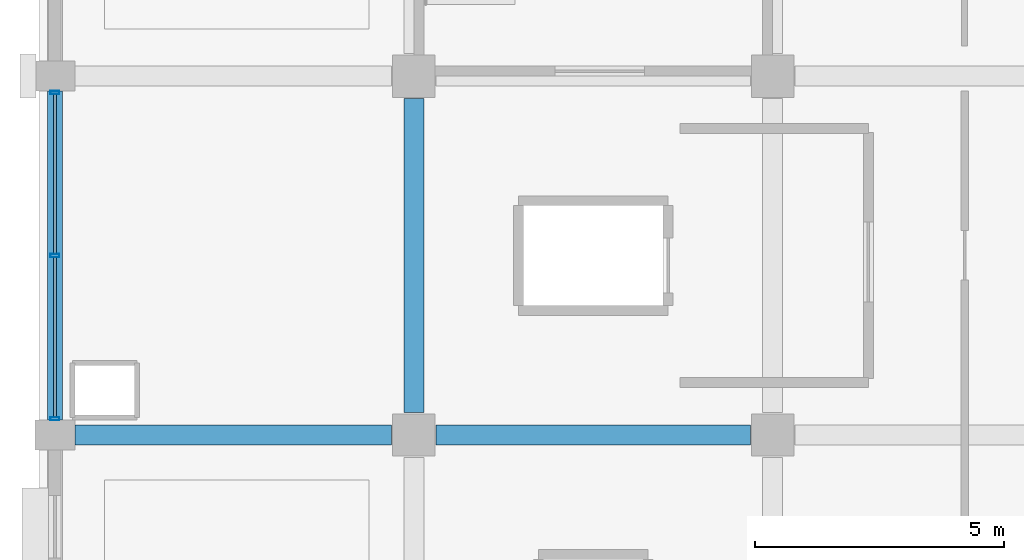
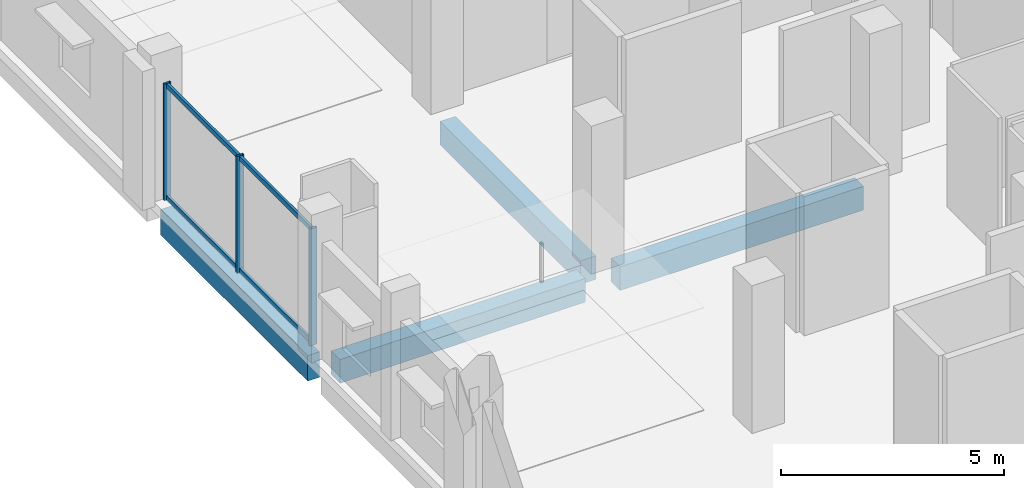
# One storey, part 21 of 107: 7 members, 4 beams, 1 element without a shape of its own.
"""IFC4 building model written with IfcOpenShell, lengths in metres."""

import ifcopenshell
import ifcopenshell.guid

model = None  # the IFC model being written
_history = None  # IfcOwnerHistory: only IFC2X3 demands one
_inside = {}  # id of a spatial element -> (the spatial element, [elements in it])
_under = {}  # id of a project, library or spatial element -> (it, [spatial elements below it])
_declared = {}  # id of a project -> (the project, [libraries it declares])
_typed = {}  # id of a type object -> (the type object, [elements of that type])
_made_of = {}  # id of a material, layer set ... -> (it, [elements and type objects made of it])


def new_model(schema):
    """Start an empty IFC model of exactly this schema.

    Asked for "IFC4X3", IfcOpenShell would pick the latest addendum, in which some entities
    have other attributes; the version numbers below select the first issue.
    IFC2X3 requires an IfcOwnerHistory on every rooted entity: one is made here for all.
    """
    global model, _history
    if schema == "IFC4X3":
        model = ifcopenshell.file(schema_version=(4, 3, 0, 0))
    else:
        model = ifcopenshell.file(schema=schema)
    _inside.clear()
    _under.clear()
    _declared.clear()
    _typed.clear()
    _made_of.clear()
    _history = None
    if model.schema == "IFC2X3":
        org = make("IfcOrganization", Name="unknown")
        user = make(
            "IfcPersonAndOrganization",
            ThePerson=make("IfcPerson", FamilyName="unknown"),
            TheOrganization=org,
        )
        app = make(
            "IfcApplication",
            ApplicationDeveloper=org,
            Version="unknown",
            ApplicationFullName="unknown",
            ApplicationIdentifier="unknown",
        )
        _history = make(
            "IfcOwnerHistory",
            OwningUser=user,
            OwningApplication=app,
            ChangeAction="ADDED",
            CreationDate=0,
        )
    return model


def make(cls, **values):
    """One entity of the class cls with the attributes given. An attribute that is None is left unset."""
    return model.create_entity(
        cls, **{name: value for name, value in values.items() if value is not None}
    )


def rooted(cls, **values):
    """An entity with a GlobalId (a new one), such as an element, a storey or a relation."""
    return make(cls, GlobalId=ifcopenshell.guid.new(), OwnerHistory=_history, **values)


def si_unit(unit_type, name, prefix=None):
    """IfcSIUnit, for example si_unit("LENGTHUNIT", "METRE", prefix="MILLI")."""
    return make("IfcSIUnit", UnitType=unit_type, Prefix=prefix, Name=name)


def assignment(units):
    """IfcUnitAssignment: the units of a project."""
    return None if units is None else make("IfcUnitAssignment", Units=units)


def point(xyz):
    """IfcCartesianPoint."""
    return None if xyz is None else make("IfcCartesianPoint", Coordinates=xyz)


def direction(xyz):
    """IfcDirection."""
    return None if xyz is None else make("IfcDirection", DirectionRatios=xyz)


def frame(location, z_axis=None, x_axis=None):
    """IfcAxis2Placement3D, a coordinate frame: its origin and axes. An axis left out is left unset."""
    return make(
        "IfcAxis2Placement3D",
        Location=point(location),
        Axis=direction(z_axis),
        RefDirection=direction(x_axis),
    )


def frame_2d(location, x_axis=None):
    """IfcAxis2Placement2D, a coordinate frame in the plane: its origin and x axis."""
    return make(
        "IfcAxis2Placement2D", Location=point(location), RefDirection=direction(x_axis)
    )


def origin():
    """The frame at (0, 0, 0) with its axes left unset."""
    return frame((0.0, 0.0, 0.0))


def origin_2d():
    """The frame at (0, 0) in the plane with its x axis left unset."""
    return frame_2d((0.0, 0.0))


def place(relative_to, where):
    """IfcLocalPlacement: puts the frame where relative to a parent placement (None: the world)."""
    return make(
        "IfcLocalPlacement", PlacementRelTo=relative_to, RelativePlacement=where
    )


def context(
    kind, dimensions, precision=None, world=None, true_north=None, identifier=None
):
    """IfcGeometricRepresentationContext, for example the 3D "Model" context."""
    return make(
        "IfcGeometricRepresentationContext",
        ContextIdentifier=identifier,
        ContextType=kind,
        CoordinateSpaceDimension=dimensions,
        Precision=precision,
        WorldCoordinateSystem=world,
        TrueNorth=true_north,
    )


def subcontext(parent, identifier, kind, view, scale=None):
    """IfcGeometricRepresentationSubContext, for example "Body" below "Model"."""
    return make(
        "IfcGeometricRepresentationSubContext",
        ContextIdentifier=identifier,
        ContextType=kind,
        ParentContext=parent,
        TargetScale=scale,
        TargetView=view,
    )


def project(units=None, contexts=None):
    """IfcProject with its units and contexts."""
    return rooted(
        "IfcProject",
        Name="project",
        RepresentationContexts=contexts,
        UnitsInContext=assignment(units),
    )


def spatial(cls, under=None, at=None, **own):
    """A site, building, storey or space (cls), placed at a placement, below another one or the project."""
    s = rooted(cls, ObjectPlacement=at, **own)
    if under is not None:
        _under.setdefault(under.id(), (under, []))[1].append(s)
    return s


def profile(cls, at=None, kind="AREA", **sizes):
    """A parametric profile (cls). Its sizes go by their IFC names, for example OverallWidth=200.0."""
    return make(cls, ProfileType=kind, Position=at, **sizes)


def rectangle(**sizes):
    """IfcRectangleProfileDef."""
    return profile("IfcRectangleProfileDef", **sizes)


def hollow_rectangle(**sizes):
    """IfcRectangleHollowProfileDef."""
    return profile("IfcRectangleHollowProfileDef", **sizes)


def extrude(swept, where, along, depth):
    """IfcExtrudedAreaSolid: the profile swept, set in the frame where, extruded along a direction by depth."""
    return make(
        "IfcExtrudedAreaSolid",
        SweptArea=swept,
        Position=where,
        ExtrudedDirection=direction(along),
        Depth=depth,
    )


def shape(context_of_items, identifier, shape_type, items):
    """IfcShapeRepresentation: the items that make up one representation, for example the "Body"."""
    return make(
        "IfcShapeRepresentation",
        ContextOfItems=context_of_items,
        RepresentationIdentifier=identifier,
        RepresentationType=shape_type,
        Items=items,
    )


def material(Name=None, Category=None):
    """IfcMaterial."""
    return make("IfcMaterial", Name=Name, Category=Category)


def layer(
    of_material, thickness, ventilated=None, Name=None, Category=None, Priority=None
):
    """IfcMaterialLayer: one layer of a wall or slab, of a material (None: an air gap)."""
    return make(
        "IfcMaterialLayer",
        Material=of_material,
        LayerThickness=thickness,
        IsVentilated=ventilated,
        Name=Name,
        Category=Category,
        Priority=Priority,
    )


def layer_set(layers, Name=None):
    """IfcMaterialLayerSet."""
    return make("IfcMaterialLayerSet", MaterialLayers=layers, LayerSetName=Name)


def material_profile(
    of_material, cross_section, Name=None, Category=None, Priority=None
):
    """IfcMaterialProfile: a cross section and its material."""
    return make(
        "IfcMaterialProfile",
        Name=Name,
        Material=of_material,
        Profile=cross_section,
        Priority=Priority,
        Category=Category,
    )


def profile_set(profiles, Name=None, composite=None):
    """IfcMaterialProfileSet."""
    return make(
        "IfcMaterialProfileSet",
        Name=Name,
        MaterialProfiles=profiles,
        CompositeProfile=composite,
    )


def made_of(thing, what):
    """Note that an element or type object is made of a material, layer set ...; save() writes the relation."""
    if what is not None:
        _made_of.setdefault(what.id(), (what, []))[1].append(thing)
    return thing


def type_object(cls, material=None, **own):
    """A type object (cls), such as IfcWallType, which elements share."""
    return made_of(rooted(cls, **own), material)


def element(
    cls,
    number,
    at=None,
    inside=None,
    cuts=None,
    type_object=None,
    material=None,
    context=None,
    identifier="Body",
    shape_type=None,
    held_by="IfcProductDefinitionShape",
    body=None,
    shapes=None,
    **own,
):
    """One element of the class cls, such as IfcWall. Its Tag is "e" and its number.

    at: its placement. inside: the storey or other place that contains it. cuts: it is an
    opening in that element (IfcRelVoidsElement). A single representation is given by context,
    identifier, shape_type and body (its items); several are given by shapes. held_by: the class
    of the entity that holds the representations. save() writes the other relations.
    """
    e = rooted(cls, Tag="e%d" % number, ObjectPlacement=at, **own)
    if body is not None:
        shapes = [shape(context, identifier, shape_type, body)]
    if shapes is not None:
        e.Representation = make(held_by, Representations=shapes)
    if inside is not None:
        _inside.setdefault(inside.id(), (inside, []))[1].append(e)
    if cuts is not None:
        rooted(
            "IfcRelVoidsElement", RelatingBuildingElement=cuts, RelatedOpeningElement=e
        )
    if type_object is not None:
        _typed.setdefault(type_object.id(), (type_object, []))[1].append(e)
    return made_of(e, material)


def aggregate(whole, parts):
    """IfcRelAggregates: a whole, such as a stair, and the parts it consists of."""
    return rooted("IfcRelAggregates", RelatingObject=whole, RelatedObjects=parts)


def save(model, path):
    """Write the relations noted so far, then the file.

    IfcRelAggregates (storeys below a building ...), IfcRelContainedInSpatialStructure (elements
    in a storey), IfcRelDefinesByType, IfcRelAssociatesMaterial and IfcRelDeclares: one each for
    every whole, place, type object, material and project.
    """
    for whole, parts in _under.values():
        aggregate(whole, parts)
    for where, things in _inside.values():
        rooted(
            "IfcRelContainedInSpatialStructure",
            RelatedElements=things,
            RelatingStructure=where,
        )
    for kind, things in _typed.values():
        rooted("IfcRelDefinesByType", RelatedObjects=things, RelatingType=kind)
    for what, things in _made_of.values():
        rooted("IfcRelAssociatesMaterial", RelatedObjects=things, RelatingMaterial=what)
    for by, libraries in _declared.values():
        rooted("IfcRelDeclares", RelatingContext=by, RelatedDefinitions=libraries)
    model.write(path)


model = new_model("IFC4")

# Units and contexts
model_context = context("Model", 3, precision=1e-05, world=origin(), true_north=direction((0.0, 1.0)))
body_context = subcontext(model_context, "Body", "Model", "MODEL_VIEW")
ifc_project = project(units=[si_unit("LENGTHUNIT", "METRE"), si_unit("AREAUNIT", "SQUARE_METRE"), si_unit("VOLUMEUNIT", "CUBIC_METRE"), si_unit("PLANEANGLEUNIT", "RADIAN"), si_unit("MASSUNIT", "GRAM", prefix="KILO")], contexts=[model_context])

# Site, building, storey
site_placement = place(None, origin())
site = spatial("IfcSite", under=ifc_project, at=site_placement, CompositionType="ELEMENT")
building_placement = place(site_placement, origin())
building = spatial("IfcBuilding", under=site, at=building_placement, Name="Kangsadwip Square Police Headquarters", CompositionType="ELEMENT")
storey_placement = place(building_placement, frame((0.0, 0.0, 5.39990234375)))
storey = spatial("IfcBuildingStorey", under=building, at=storey_placement, Name="L01", CompositionType="ELEMENT", Elevation=5.39990234375)

# Curtain wall, members
ifc_material_1 = material(Name="Thermally broken anodised aluminium AW-6063-T6", Category="aluminium")
ifc_layer = layer(ifc_material_1, 0.159912109375)
ifc_layer_set = layer_set([ifc_layer], Name="Thermally broken anodised aluminium AW-6063-T6")
curtain_wall_type = type_object("IfcCurtainWallType", Name="UnitisedCw6610x3200", PredefinedType="NOTDEFINED", material=ifc_layer_set)
curtain_wall_placement = place(storey_placement, origin())
curtain_wall = element("IfcCurtainWall", 1, at=curtain_wall_placement, inside=storey, type_object=curtain_wall_type, Name="Curtain Wall CW-L01-0000-0651", PredefinedType="NOTDEFINED")
ifc_material_2 = material(Name="Thermally broken anodised aluminium AW-6063-T6", Category="aluminium")
ifc_material_profile_1 = material_profile(ifc_material_2, hollow_rectangle(XDim=0.06494140625, YDim=0.179931640625, WallThickness=0.00390625, at=origin_2d()), Name="CWM 180X65X4")
ifc_profile_set_1 = profile_set([ifc_material_profile_1], Name="Thermally broken anodised aluminium AW-6063-T6")
member_type_1 = type_object("IfcMemberType", Name="CwMullion160x65", PredefinedType="MULLION", material=ifc_profile_set_1)
member_1_placement = place(storey_placement, frame((0.0, 65.12744140625, 0.0), z_axis=(0.0, 0.0, 1.0), x_axis=(0.0, 1.0, 0.0)))
member_1 = element("IfcMember", 2, at=member_1_placement, type_object=member_type_1, Name="CW-28 mullion 1", PredefinedType="MULLION", context=body_context, shape_type="SweptSolid", body=[
    extrude(hollow_rectangle(XDim=0.06494140625, YDim=0.179931640625, WallThickness=0.00390625, at=origin_2d()), origin(), (0.0, 0.0, 1.0), 3.2001953125),
])
member_2_placement = place(storey_placement, frame((0.0, 68.39990234375, 0.0), z_axis=(0.0, 0.0, 1.0), x_axis=(0.0, 1.0, 0.0)))
member_2 = element("IfcMember", 3, at=member_2_placement, type_object=member_type_1, Name="CW-28 mullion 2", PredefinedType="MULLION", context=body_context, shape_type="SweptSolid", body=[
    extrude(hollow_rectangle(XDim=0.06494140625, YDim=0.179931640625, WallThickness=0.00390625, at=origin_2d()), origin(), (0.0, 0.0, 1.0), 3.2001953125),
])
member_3_placement = place(storey_placement, frame((0.0, 71.672607421875, 0.0), z_axis=(0.0, 0.0, 1.0), x_axis=(0.0, 1.0, 0.0)))
member_3 = element("IfcMember", 4, at=member_3_placement, type_object=member_type_1, Name="CW-28 mullion 3", PredefinedType="MULLION", context=body_context, shape_type="SweptSolid", body=[
    extrude(hollow_rectangle(XDim=0.06494140625, YDim=0.179931640625, WallThickness=0.00390625, at=origin_2d()), origin(), (0.0, 0.0, 1.0), 3.2001953125),
])
ifc_material_3 = material(Name="Thermally broken anodised aluminium AW-6063-T6", Category="aluminium")
ifc_material_profile_2 = material_profile(ifc_material_3, hollow_rectangle(XDim=0.06494140625, YDim=0.1298828125, WallThickness=0.00390625, at=origin_2d()), Name="CWT 130X65X4")
ifc_profile_set_2 = profile_set([ifc_material_profile_2], Name="Thermally broken anodised aluminium AW-6063-T6")
member_type_2 = type_object("IfcMemberType", Name="CwTransom140x60", PredefinedType="USERDEFINED", material=ifc_profile_set_2)
member_4_placement = place(storey_placement, frame((0.0, 65.159912109375, 0.065185546875), z_axis=(0.0, 1.0, 0.0), x_axis=(-1.0, 0.0, 0.0)))
member_4 = element("IfcMember", 5, at=member_4_placement, type_object=member_type_2, Name="CW-28 transom 1.1", ObjectType="TRANSOM", PredefinedType="USERDEFINED", context=body_context, shape_type="SweptSolid", body=[
    extrude(hollow_rectangle(XDim=0.06494140625, YDim=0.1298828125, WallThickness=0.00390625, at=origin_2d()), origin(), (0.0, 0.0, 1.0), 3.20751953125),
])
member_5_placement = place(storey_placement, frame((0.0, 65.159912109375, 3.135009765625), z_axis=(0.0, 1.0, 0.0), x_axis=(-1.0, 0.0, 0.0)))
member_5 = element("IfcMember", 6, at=member_5_placement, type_object=member_type_2, Name="CW-28 transom 1.2", ObjectType="TRANSOM", PredefinedType="USERDEFINED", context=body_context, shape_type="SweptSolid", body=[
    extrude(hollow_rectangle(XDim=0.06494140625, YDim=0.1298828125, WallThickness=0.00390625, at=origin_2d()), origin(), (0.0, 0.0, 1.0), 3.20751953125),
])
member_6_placement = place(storey_placement, frame((0.0, 68.4326171875, 0.065185546875), z_axis=(0.0, 1.0, 0.0), x_axis=(-1.0, 0.0, 0.0)))
member_6 = element("IfcMember", 7, at=member_6_placement, type_object=member_type_2, Name="CW-28 transom 2.1", ObjectType="TRANSOM", PredefinedType="USERDEFINED", context=body_context, shape_type="SweptSolid", body=[
    extrude(hollow_rectangle(XDim=0.06494140625, YDim=0.1298828125, WallThickness=0.00390625, at=origin_2d()), origin(), (0.0, 0.0, 1.0), 3.207275390625),
])
member_7_placement = place(storey_placement, frame((0.0, 68.4326171875, 3.135009765625), z_axis=(0.0, 1.0, 0.0), x_axis=(-1.0, 0.0, 0.0)))
member_7 = element("IfcMember", 8, at=member_7_placement, type_object=member_type_2, Name="CW-28 transom 2.2", ObjectType="TRANSOM", PredefinedType="USERDEFINED", context=body_context, shape_type="SweptSolid", body=[
    extrude(hollow_rectangle(XDim=0.06494140625, YDim=0.1298828125, WallThickness=0.00390625, at=origin_2d()), origin(), (0.0, 0.0, 1.0), 3.207275390625),
])
aggregate(curtain_wall, [member_1, member_2, member_3, member_4, member_5, member_6, member_7])

# Beams
ifc_material_4 = material(Name="Concrete M35 (35 MPa)", Category="concrete")
ifc_material_profile_3 = material_profile(ifc_material_4, rectangle(XDim=0.39990234375, YDim=0.64990234375, at=origin_2d()), Name="RC BM 650X400")
ifc_profile_set_3 = profile_set([ifc_material_profile_3], Name="Concrete M35 (35 MPa)")
beam_type_1 = type_object("IfcBeamType", Name="RcBeam650x400", PredefinedType="BEAM", material=ifc_profile_set_3)
beam_1_placement = place(storey_placement, frame((0.39990234375, 64.800048828125, -0.56494140625), z_axis=(1.0, 0.0, 0.0), x_axis=(0.0, 1.0, 0.0)))
element("IfcBeam", 9, at=beam_1_placement, inside=storey, type_object=beam_type_1, Name="Beam BM-L01-X-00-09", PredefinedType="BEAM", context=body_context, shape_type="SweptSolid", body=[
    extrude(rectangle(XDim=0.39990234375, YDim=0.64990234375, at=origin_2d()), origin(), (0.0, 0.0, 1.0), 6.35009765625),
])
for number, where, z_axis, x_axis, name in (
    (10, (7.64990234375, 64.800048828125, -0.56494140625), (1.0, 0.0, 0.0), (0.0, 1.0, 0.0), "Beam BM-L01-X-01-09"),
    (11, (7.199951171875, 65.25, -0.56494140625), (0.0, 1.0, 0.0), (-1.0, 0.0, 0.0), "Beam BM-L01-Y-01-09"),
):
    element("IfcBeam", number, at=place(storey_placement, frame(where, z_axis=z_axis, x_axis=x_axis)), inside=storey, type_object=beam_type_1, Name=name, PredefinedType="BEAM", context=body_context, shape_type="SweptSolid", body=[
        extrude(rectangle(XDim=0.39990234375, YDim=0.64990234375, at=origin_2d()), origin(), (0.0, 0.0, 1.0), 6.300048828125),
    ])
ifc_material_5 = material(Name="Concrete M40 (40 MPa)", Category="concrete")
ifc_material_profile_4 = material_profile(ifc_material_5, rectangle(XDim=0.300048828125, YDim=0.699951171875, at=origin_2d()), Name="RC SPN 700X300")
ifc_profile_set_4 = profile_set([ifc_material_profile_4], Name="Concrete M40 (40 MPa)")
beam_type_2 = type_object("IfcBeamType", Name="RcSpandrel700x300", PredefinedType="SPANDREL", material=ifc_profile_set_4)
beam_2_placement = place(storey_placement, frame((0.0, 65.10009765625, -0.58984375), z_axis=(0.0, 1.0, 0.0), x_axis=(-1.0, 0.0, 0.0)))
element("IfcBeam", 12, at=beam_2_placement, inside=storey, type_object=beam_type_2, Name="Beam BM-L01-Y-00-09", PredefinedType="SPANDREL", context=body_context, shape_type="SweptSolid", body=[
    extrude(rectangle(XDim=0.300048828125, YDim=0.699951171875, at=origin_2d()), origin(), (0.0, 0.0, 1.0), 6.599853515625),
])

save(model, "model.ifc")
